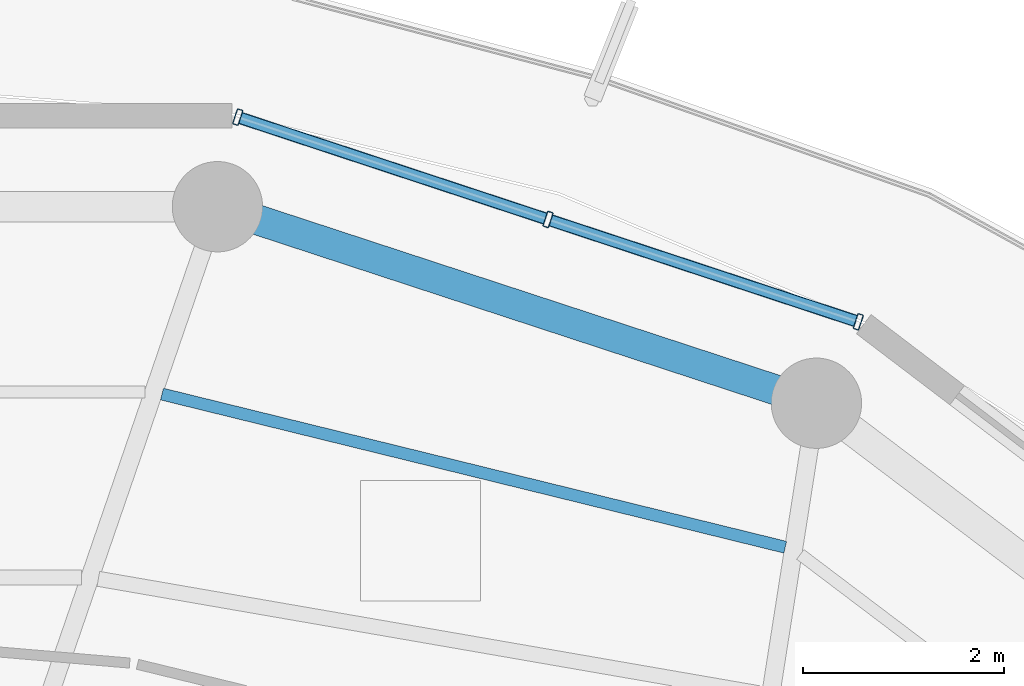
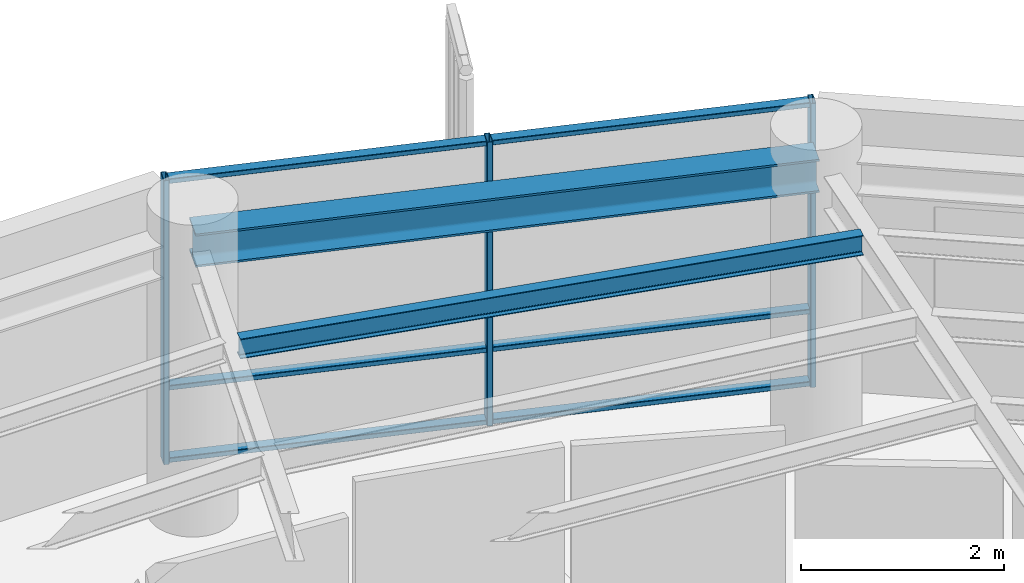
# One storey, part 14 of 23: 9 members, 2 beams, 1 element without a shape of its own.
"""IFC4 building model written with IfcOpenShell, lengths in metres."""

from ifc_helpers import new_model, si_unit, direction, frame, origin, origin_2d, place, context, subcontext, project, spatial, hollow_rectangle, i_section, extrude, material, layer, layer_set, material_profile, profile_set, type_object, element, aggregate, save


model = new_model("IFC4")

# Units and contexts
model_context = context("Model", 3, precision=1e-05, world=origin(), true_north=direction((0.0, 1.0)))
body_context = subcontext(model_context, "Body", "Model", "MODEL_VIEW")
ifc_project = project(units=[si_unit("LENGTHUNIT", "METRE"), si_unit("AREAUNIT", "SQUARE_METRE"), si_unit("VOLUMEUNIT", "CUBIC_METRE"), si_unit("PLANEANGLEUNIT", "RADIAN"), si_unit("MASSUNIT", "GRAM", prefix="KILO")], contexts=[model_context])

# Site, building, storey
site_placement = place(None, origin())
site = spatial("IfcSite", under=ifc_project, at=site_placement, CompositionType="ELEMENT")
building_placement = place(site_placement, origin())
building = spatial("IfcBuilding", under=site, at=building_placement, Name="Kelanora Arch Commons", CompositionType="ELEMENT")
storey_placement = place(building_placement, frame((0.0, 0.0, 289.949951171875)))
storey = spatial("IfcBuildingStorey", under=building, at=storey_placement, Name="L74", CompositionType="ELEMENT", Elevation=289.949951171875)

# Beams
ifc_material_1 = material(Name="Steel S355", Category="steel")
ifc_material_profile_1 = material_profile(ifc_material_1, i_section(OverallWidth=0.1201171875, OverallDepth=0.239990234375, WebThickness=0.006103515625, FlangeThickness=0.009765625, FilletRadius=0.014892578125, at=origin_2d()), Name="IPE240")
ifc_profile_set_1 = profile_set([ifc_material_profile_1], Name="Steel S355")
beam_type_1 = type_object("IfcBeamType", Name="BM-JST-02", PredefinedType="JOIST", material=ifc_profile_set_1)
beam_1_placement = place(storey_placement, frame((82.82958984375, 70.837890625, 3.31005859375), z_axis=(-0.971109719488, 0.23863342749, 0.0), x_axis=(-0.23863342749, -0.971109719488, 0.0)))
element("IfcBeam", 1, at=beam_1_placement, inside=storey, type_object=beam_type_1, Name="Secondary Chord Joist BJC-06 L74", PredefinedType="JOIST", context=body_context, shape_type="SweptSolid", body=[
    extrude(i_section(OverallWidth=0.1201171875, OverallDepth=0.239990234375, WebThickness=0.006103515625, FlangeThickness=0.009765625, FilletRadius=0.014892578125, at=origin_2d()), origin(), (0.0, 0.0, 1.0), 6.39208984375),
])
ifc_material_profile_2 = material_profile(ifc_material_1, i_section(OverallWidth=0.300048828125, OverallDepth=0.39990234375, WebThickness=0.013427734375, FlangeThickness=0.02392578125, FilletRadius=0.027099609375, at=origin_2d()), Name="HEB400")
ifc_profile_set_2 = profile_set([ifc_material_profile_2], Name="Steel S355")
beam_type_2 = type_object("IfcBeamType", Name="BM-SPN-Z4", PredefinedType="SPANDREL", material=ifc_profile_set_2)
beam_2_placement = place(storey_placement, frame((83.139892578125, 72.272216796875, 3.22998046875), z_axis=(-0.950165923039, 0.311744636996, 0.0), x_axis=(-0.311744636996, -0.950165923039, 0.0)))
element("IfcBeam", 2, at=beam_2_placement, inside=storey, type_object=beam_type_2, Name="Perimeter Spandrel Beam BS-06 L74", PredefinedType="SPANDREL", context=body_context, shape_type="SweptSolid", body=[
    extrude(i_section(OverallWidth=0.300048828125, OverallDepth=0.39990234375, WebThickness=0.013427734375, FlangeThickness=0.02392578125, FilletRadius=0.027099609375, at=origin_2d()), origin(), (0.0, 0.0, 1.0), 6.278564453125),
])

# Curtain wall, members
ifc_material_2 = material(Name="Terracotta ceramic-fritted low-E glass and aluminium", Category="masonry")
ifc_layer = layer(ifc_material_2, 0.18994140625)
ifc_layer_set = layer_set([ifc_layer], Name="Terracotta ceramic-fritted low-E glass and aluminium")
curtain_wall_type = type_object("IfcCurtainWallType", Name="CW-SYS-03", PredefinedType="NOTDEFINED", material=ifc_layer_set)
curtain_wall_placement = place(storey_placement, origin())
curtain_wall = element("IfcCurtainWall", 3, at=curtain_wall_placement, inside=storey, type_object=curtain_wall_type, Name="Unitised Curtain Wall L74-B03", PredefinedType="NOTDEFINED")
ifc_material_3 = material(Name="Powder-coated aluminium terracotta", Category="masonry")
ifc_material_profile_3 = material_profile(ifc_material_3, hollow_rectangle(XDim=0.159912109375, YDim=0.06005859375, WallThickness=0.0048828125, InnerFilletRadius=0.0048828125, OuterFilletRadius=0.010009765625, at=origin_2d()), Name="CWM160x60")
ifc_profile_set_3 = profile_set([ifc_material_profile_3], Name="Powder-coated aluminium terracotta")
member_type_1 = type_object("IfcMemberType", Name="CWM-STD", PredefinedType="MULLION", material=ifc_profile_set_3)
member_1_placement = place(storey_placement, frame((83.557373046875, 73.0830078125, 0.0), z_axis=(0.0, 0.0, 1.0), x_axis=(-0.313252785344, -0.949669780752, 0.0)))
member_1 = element("IfcMember", 4, at=member_1_placement, type_object=member_type_1, Name="CW-03 mullion 1", PredefinedType="MULLION", context=body_context, shape_type="SweptSolid", body=[
    extrude(hollow_rectangle(XDim=0.159912109375, YDim=0.06005859375, WallThickness=0.0048828125, InnerFilletRadius=0.0048828125, OuterFilletRadius=0.010009765625, at=origin_2d()), origin(), (0.0, 0.0, 1.0), 3.4150390625),
])
member_2_placement = place(storey_placement, frame((80.467041015625, 74.102294921875, 0.0), z_axis=(0.0, 0.0, 1.0), x_axis=(-0.313252785344, -0.949669780752, 0.0)))
member_2 = element("IfcMember", 5, at=member_2_placement, type_object=member_type_1, Name="CW-03 mullion 2", PredefinedType="MULLION", context=body_context, shape_type="SweptSolid", body=[
    extrude(hollow_rectangle(XDim=0.159912109375, YDim=0.06005859375, WallThickness=0.0048828125, InnerFilletRadius=0.0048828125, OuterFilletRadius=0.010009765625, at=origin_2d()), origin(), (0.0, 0.0, 1.0), 3.4150390625),
])
member_3_placement = place(storey_placement, frame((77.376708984375, 75.12158203125, 0.0), z_axis=(0.0, 0.0, 1.0), x_axis=(-0.313252785344, -0.949669780752, 0.0)))
member_3 = element("IfcMember", 6, at=member_3_placement, type_object=member_type_1, Name="CW-03 mullion 3", PredefinedType="MULLION", context=body_context, shape_type="SweptSolid", body=[
    extrude(hollow_rectangle(XDim=0.159912109375, YDim=0.06005859375, WallThickness=0.0048828125, InnerFilletRadius=0.0048828125, OuterFilletRadius=0.010009765625, at=origin_2d()), origin(), (0.0, 0.0, 1.0), 3.4150390625),
])
ifc_material_profile_4 = material_profile(ifc_material_3, hollow_rectangle(XDim=0.1201171875, YDim=0.06005859375, WallThickness=0.0048828125, InnerFilletRadius=0.0048828125, OuterFilletRadius=0.010009765625, at=origin_2d()), Name="CWT120x60")
ifc_profile_set_4 = profile_set([ifc_material_profile_4], Name="Powder-coated aluminium terracotta")
member_type_2 = type_object("IfcMemberType", Name="CWT-STD", PredefinedType="USERDEFINED", material=ifc_profile_set_4)
member_4_placement = place(storey_placement, frame((83.52880859375, 73.09228515625, 0.030029296875), z_axis=(-0.949672315102, 0.313245102003, 0.0), x_axis=(-0.313245102003, -0.949672315102, 0.0)))
member_4 = element("IfcMember", 7, at=member_4_placement, type_object=member_type_2, Name="CW-03 transom 1.1", ObjectType="TRANSOM", PredefinedType="USERDEFINED", context=body_context, shape_type="SweptSolid", body=[
    extrude(hollow_rectangle(XDim=0.1201171875, YDim=0.06005859375, WallThickness=0.0048828125, InnerFilletRadius=0.0048828125, OuterFilletRadius=0.010009765625, at=origin_2d()), origin(), (0.0, 0.0, 1.0), 3.19384765625),
])
member_5_placement = place(storey_placement, frame((83.52880859375, 73.09228515625, 0.900146484375), z_axis=(-0.949672315102, 0.313245102003, 0.0), x_axis=(-0.313245102003, -0.949672315102, 0.0)))
member_5 = element("IfcMember", 8, at=member_5_placement, type_object=member_type_2, Name="CW-03 transom 1.2", ObjectType="TRANSOM", PredefinedType="USERDEFINED", context=body_context, shape_type="SweptSolid", body=[
    extrude(hollow_rectangle(XDim=0.1201171875, YDim=0.06005859375, WallThickness=0.0048828125, InnerFilletRadius=0.0048828125, OuterFilletRadius=0.010009765625, at=origin_2d()), origin(), (0.0, 0.0, 1.0), 3.19384765625),
])
member_6_placement = place(storey_placement, frame((83.52880859375, 73.09228515625, 3.385009765625), z_axis=(-0.949672315102, 0.313245102003, 0.0), x_axis=(-0.313245102003, -0.949672315102, 0.0)))
member_6 = element("IfcMember", 9, at=member_6_placement, type_object=member_type_2, Name="CW-03 transom 1.3", ObjectType="TRANSOM", PredefinedType="USERDEFINED", context=body_context, shape_type="SweptSolid", body=[
    extrude(hollow_rectangle(XDim=0.1201171875, YDim=0.06005859375, WallThickness=0.0048828125, InnerFilletRadius=0.0048828125, OuterFilletRadius=0.010009765625, at=origin_2d()), origin(), (0.0, 0.0, 1.0), 3.19384765625),
])
member_7_placement = place(storey_placement, frame((80.4384765625, 74.111572265625, 0.030029296875), z_axis=(-0.949649574195, 0.313314037719, 0.0), x_axis=(-0.313314037719, -0.949649574195, 0.0)))
member_7 = element("IfcMember", 10, at=member_7_placement, type_object=member_type_2, Name="CW-03 transom 2.1", ObjectType="TRANSOM", PredefinedType="USERDEFINED", context=body_context, shape_type="SweptSolid", body=[
    extrude(hollow_rectangle(XDim=0.1201171875, YDim=0.06005859375, WallThickness=0.0048828125, InnerFilletRadius=0.0048828125, OuterFilletRadius=0.010009765625, at=origin_2d()), origin(), (0.0, 0.0, 1.0), 3.194091796875),
])
member_8_placement = place(storey_placement, frame((80.4384765625, 74.111572265625, 0.900146484375), z_axis=(-0.949649574195, 0.313314037719, 0.0), x_axis=(-0.313314037719, -0.949649574195, 0.0)))
member_8 = element("IfcMember", 11, at=member_8_placement, type_object=member_type_2, Name="CW-03 transom 2.2", ObjectType="TRANSOM", PredefinedType="USERDEFINED", context=body_context, shape_type="SweptSolid", body=[
    extrude(hollow_rectangle(XDim=0.1201171875, YDim=0.06005859375, WallThickness=0.0048828125, InnerFilletRadius=0.0048828125, OuterFilletRadius=0.010009765625, at=origin_2d()), origin(), (0.0, 0.0, 1.0), 3.194091796875),
])
member_9_placement = place(storey_placement, frame((80.4384765625, 74.111572265625, 3.385009765625), z_axis=(-0.949649574195, 0.313314037719, 0.0), x_axis=(-0.313314037719, -0.949649574195, 0.0)))
member_9 = element("IfcMember", 12, at=member_9_placement, type_object=member_type_2, Name="CW-03 transom 2.3", ObjectType="TRANSOM", PredefinedType="USERDEFINED", context=body_context, shape_type="SweptSolid", body=[
    extrude(hollow_rectangle(XDim=0.1201171875, YDim=0.06005859375, WallThickness=0.0048828125, InnerFilletRadius=0.0048828125, OuterFilletRadius=0.010009765625, at=origin_2d()), origin(), (0.0, 0.0, 1.0), 3.194091796875),
])
aggregate(curtain_wall, [member_1, member_2, member_3, member_4, member_5, member_6, member_7, member_8, member_9])

save(model, "model.ifc")
